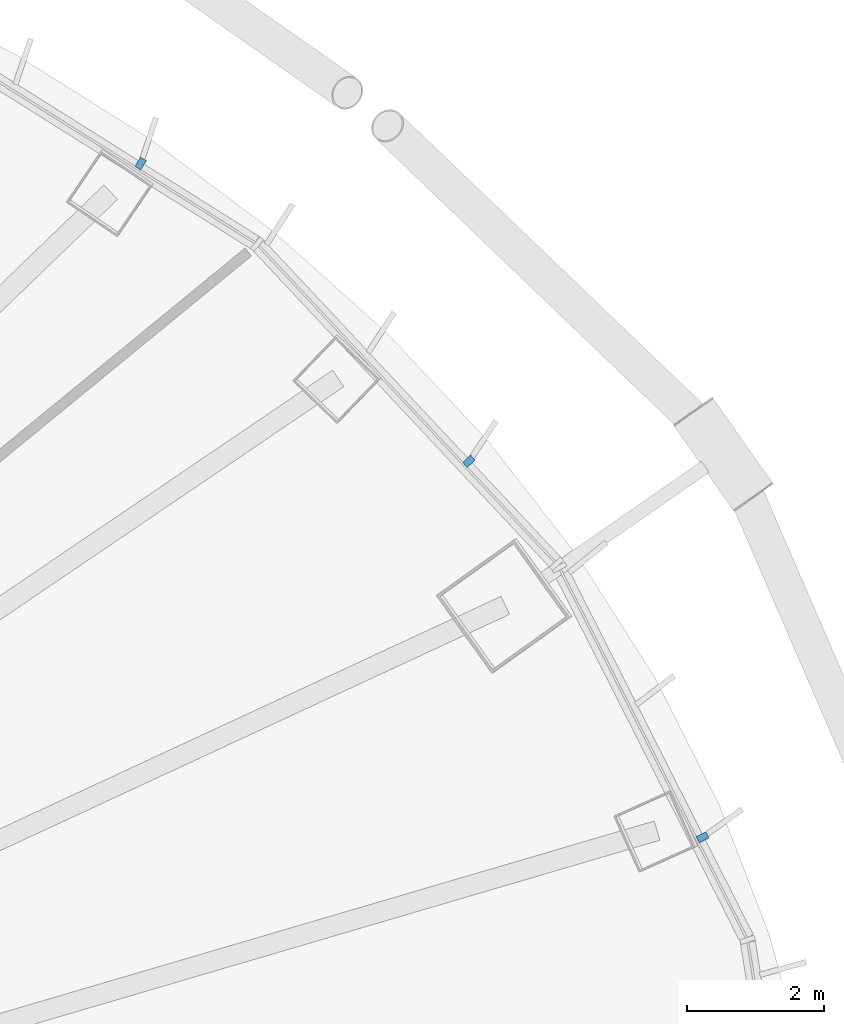
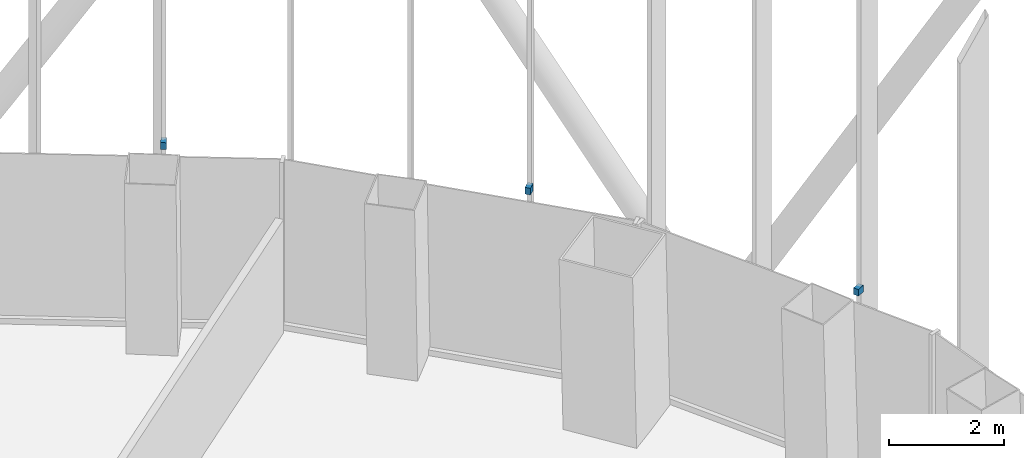
# One storey, part 18 of 22: 3 discrete accessories.
"""IFC4 building model written with IfcOpenShell, lengths in metres."""

from ifc_helpers import new_model, si_unit, direction, frame, origin, origin_2d, place, context, subcontext, project, spatial, rectangle, extrude, material, type_object, element, save


model = new_model("IFC4")

# Units and contexts
model_context = context("Model", 3, precision=1e-05, world=origin(), true_north=direction((0.0, 1.0)))
body_context = subcontext(model_context, "Body", "Model", "MODEL_VIEW")
ifc_project = project(units=[si_unit("LENGTHUNIT", "METRE"), si_unit("AREAUNIT", "SQUARE_METRE"), si_unit("VOLUMEUNIT", "CUBIC_METRE"), si_unit("PLANEANGLEUNIT", "RADIAN"), si_unit("MASSUNIT", "GRAM", prefix="KILO")], contexts=[model_context])

# Site, building, storey
site_placement = place(None, origin())
site = spatial("IfcSite", under=ifc_project, at=site_placement, CompositionType="ELEMENT")
building_placement = place(site_placement, origin())
building = spatial("IfcBuilding", under=site, at=building_placement, Name="Siaravel Broadcast Tower", CompositionType="ELEMENT")
storey_placement = place(building_placement, frame((0.0, 0.0, 48.199951171875)))
storey = spatial("IfcBuildingStorey", under=building, at=storey_placement, Name="L10", CompositionType="ELEMENT", Elevation=48.199951171875)

# Discrete accessories
ifc_material = material(Name="Stainless steel 316", Category="steel")
discrete_accessory_type = type_object("IfcDiscreteAccessoryType", Name="Stainless steel fin bracket", PredefinedType="USERDEFINED", material=ifc_material)
for number, where, z_axis, x_axis, name in (
    (1, (26.127685546875, 7.385986328125, 3.68994140625), (0.0, 0.0, 1.0), (0.892392151, 0.451260732, 0.0), "Fin bracket L10-04"),
    (2, (22.708251953125, 12.8916015625, 3.68994140625), (0.0, 0.0, 1.0), (0.729805608, 0.683654718, 0.0), "Fin bracket L10-07"),
    (3, (17.901611328125, 17.24951171875, 3.68994140625), (0.0, 0.0, 1.0), (0.532149452, 0.846650436, 0.0), "Fin bracket L10-10"),
):
    element("IfcDiscreteAccessory", number, at=place(storey_placement, frame(where, z_axis=z_axis, x_axis=x_axis)), inside=storey, type_object=discrete_accessory_type, Name=name, ObjectType="BRACKET", PredefinedType="USERDEFINED", context=body_context, shape_type="SweptSolid", body=[
        extrude(rectangle(XDim=0.159912109375, YDim=0.10009765625, at=origin_2d()), origin(), (0.0, 0.0, 1.0), 0.139892578125),
    ])

save(model, "model.ifc")
